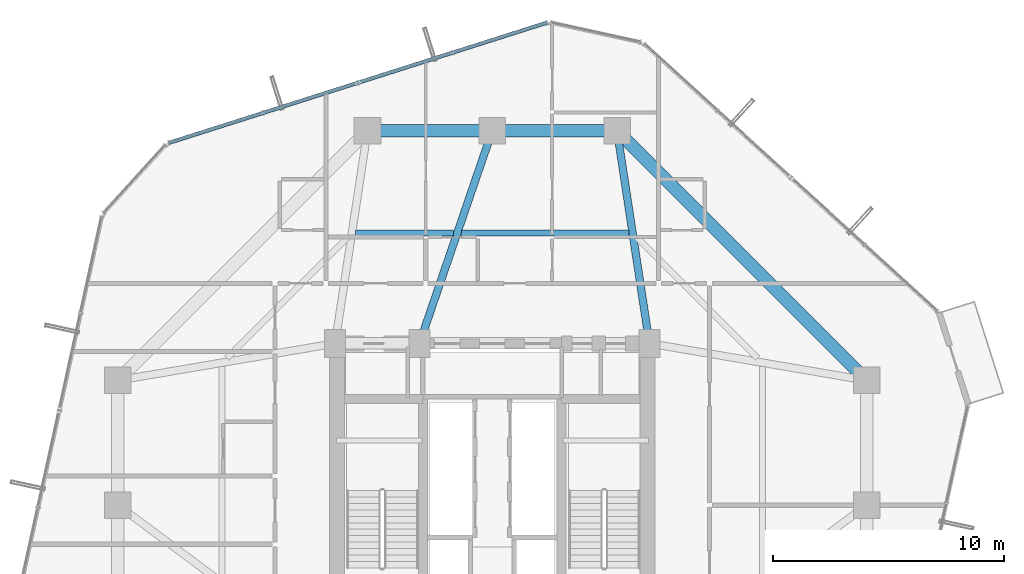
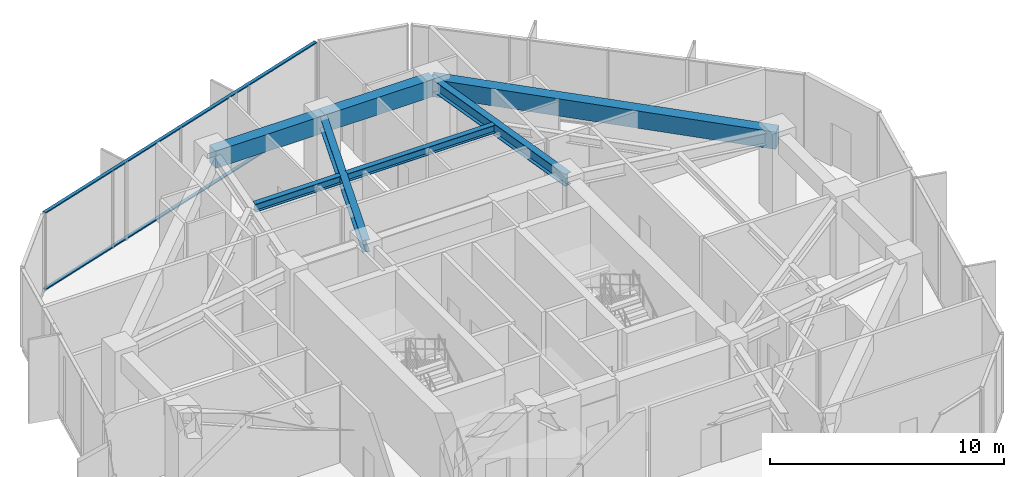
# One storey, part 18 of 28: 7 beams, 2 members, 1 element without a shape of its own.
"""IFC4 building model written with IfcOpenShell, lengths in metres."""

from ifc_helpers import new_model, si_unit, direction, frame, origin, origin_2d, place, context, subcontext, project, spatial, rectangle, hollow_rectangle, i_section, extrude, source, transform, mapped, material, layer, layer_set, material_profile, profile_set, type_object, element, aggregate, save


model = new_model("IFC4")

# Units and contexts
model_context = context("Model", 3, precision=1e-05, world=origin(), true_north=direction((0.0, 1.0)))
body_context = subcontext(model_context, "Body", "Model", "MODEL_VIEW")
ifc_project = project(units=[si_unit("LENGTHUNIT", "METRE"), si_unit("AREAUNIT", "SQUARE_METRE"), si_unit("VOLUMEUNIT", "CUBIC_METRE"), si_unit("PLANEANGLEUNIT", "RADIAN"), si_unit("MASSUNIT", "GRAM", prefix="KILO")], contexts=[model_context])

# Site, building, storey
site_placement = place(None, origin())
site = spatial("IfcSite", under=ifc_project, at=site_placement, CompositionType="ELEMENT")
building_placement = place(site_placement, origin())
building = spatial("IfcBuilding", under=site, at=building_placement, Name="Veraguas Prism Commons", CompositionType="ELEMENT")
storey_placement = place(building_placement, frame((0.0, 0.0, 85.14990234375)))
storey = spatial("IfcBuildingStorey", under=building, at=storey_placement, Name="L23", CompositionType="ELEMENT", Elevation=85.14990234375)

# Beams
ifc_material_1 = material(Name="Steel ASTM A992 Grade 50", Category="steel")
ifc_material_profile_1 = material_profile(ifc_material_1, i_section(OverallWidth=0.260986328125, OverallDepth=0.419921875, WebThickness=0.01171875, FlangeThickness=0.019287109375, at=origin_2d()), Name="W410X114")
ifc_profile_set_1 = profile_set([ifc_material_profile_1], Name="Steel ASTM A992 Grade 50")
beam_type_1 = type_object("IfcBeamType", Name="Lower Floor Joist W410x114", PredefinedType="JOIST", material=ifc_profile_set_1)
beam_1_placement = place(storey_placement, frame((29.908203125, 35.783935546875, 3.840087890625), z_axis=(-1.0, 0.0, 0.0), x_axis=(0.0, -1.0, 0.0)))
element("IfcBeam", 1, at=beam_1_placement, inside=storey, type_object=beam_type_1, Name="Composite Floor Joist L23-JS04", PredefinedType="JOIST", context=body_context, shape_type="SweptSolid", body=[
    extrude(i_section(OverallWidth=0.260986328125, OverallDepth=0.419921875, WebThickness=0.01171875, FlangeThickness=0.019287109375, at=origin_2d()), origin(), (0.0, 0.0, 1.0), 7.2490234375),
])
beam_2_placement = place(storey_placement, frame((22.31689453125, 35.783935546875, 3.840087890625), z_axis=(-1.0, 0.0, 0.0), x_axis=(0.0, -1.0, 0.0)))
element("IfcBeam", 2, at=beam_2_placement, inside=storey, type_object=beam_type_1, Name="Composite Floor Joist L23-JS05", PredefinedType="JOIST", context=body_context, shape_type="SweptSolid", body=[
    extrude(i_section(OverallWidth=0.260986328125, OverallDepth=0.419921875, WebThickness=0.01171875, FlangeThickness=0.019287109375, at=origin_2d()), origin(), (0.0, 0.0, 1.0), 4.22509765625),
])
ifc_material_2 = material(Name="Concrete C50/60", Category="concrete")
ifc_material_profile_2 = material_profile(ifc_material_2, rectangle(XDim=0.550048828125, YDim=0.89990234375, at=origin_2d()), Name="RC550X900")
ifc_profile_set_2 = profile_set([ifc_material_profile_2], Name="Concrete C50/60")
beam_type_2 = type_object("IfcBeamType", Name="Perimeter Spandrel Lower RC 550x900", PredefinedType="SPANDREL", material=ifc_profile_set_2)
beam_3_placement = place(storey_placement, frame((40.199951171875, 29.39990234375, 3.60009765625), z_axis=(-0.707106781187, 0.707106781187, 0.0), x_axis=(-0.707106781187, -0.707106781187, 0.0)))
element("IfcBeam", 3, at=beam_3_placement, inside=storey, type_object=beam_type_2, Name="Perimeter Spandrel Beam L23-SP03", PredefinedType="SPANDREL", context=body_context, shape_type="SweptSolid", body=[
    extrude(rectangle(XDim=0.550048828125, YDim=0.89990234375, at=origin_2d()), origin(), (0.0, 0.0, 1.0), 15.273681640625),
])
for number, where, z_axis, x_axis, name in (
    (4, (29.39990234375, 40.199951171875, 3.60009765625), (-1.0, 0.0, 0.0), (0.0, -1.0, 0.0), "Perimeter Spandrel Beam L23-SP04"),
    (5, (24.0, 40.199951171875, 3.60009765625), (-1.0, 0.0, 0.0), (0.0, -1.0, 0.0), "Perimeter Spandrel Beam L23-SP05"),
):
    element("IfcBeam", number, at=place(storey_placement, frame(where, z_axis=z_axis, x_axis=x_axis)), inside=storey, type_object=beam_type_2, Name=name, PredefinedType="SPANDREL", context=body_context, shape_type="SweptSolid", body=[
        extrude(rectangle(XDim=0.550048828125, YDim=0.89990234375, at=origin_2d()), origin(), (0.0, 0.0, 1.0), 5.39990234375),
    ])
ifc_material_profile_3 = material_profile(ifc_material_1, i_section(OverallWidth=0.327880859375, OverallDepth=0.6220703125, WebThickness=0.015380859375, FlangeThickness=0.0244140625, at=origin_2d()), Name="W610X195")
ifc_profile_set_3 = profile_set([ifc_material_profile_3], Name="Steel ASTM A992 Grade 50")
beam_type_3 = type_object("IfcBeamType", Name="Zone 2 Radial Girder W610x195", PredefinedType="BEAM", material=ifc_profile_set_3)
beam_4_placement = place(storey_placement, frame((29.39990234375, 40.199951171875, 3.739013671875), z_axis=(0.150458162136, -0.98861637729, 0.0), x_axis=(0.98861637729, 0.150458162136, 0.0)))
element("IfcBeam", 6, at=beam_4_placement, inside=storey, type_object=beam_type_3, Name="Radial Floor Girder L23-RD04", PredefinedType="BEAM", context=body_context, shape_type="SweptSolid", body=[
    extrude(i_section(OverallWidth=0.327880859375, OverallDepth=0.6220703125, WebThickness=0.015380859375, FlangeThickness=0.0244140625, at=origin_2d()), origin(), (0.0, 0.0, 1.0), 9.305908203125),
])
beam_5_placement = place(storey_placement, frame((24.0, 40.199951171875, 3.739013671875), z_axis=(-0.323922482989, -0.946083624747, 0.0), x_axis=(0.946083624747, -0.323922482989, 0.0)))
element("IfcBeam", 7, at=beam_5_placement, inside=storey, type_object=beam_type_3, Name="Radial Floor Girder L23-RD05", PredefinedType="BEAM", context=body_context, shape_type="SweptSolid", body=[
    extrude(i_section(OverallWidth=0.327880859375, OverallDepth=0.6220703125, WebThickness=0.015380859375, FlangeThickness=0.0244140625, at=origin_2d()), origin(), (0.0, 0.0, 1.0), 9.724365234375),
])

# Curtain wall, members
ifc_material_3 = material(Name="Anodised aluminium EN AW-6063 T6", Category="aluminium")
ifc_layer = layer(ifc_material_3, 0.199951171875, Name="Sky Lobby and Pool Acoustic Curtain Wall", Category="aluminium")
ifc_layer_set = layer_set([ifc_layer], Name="Anodised aluminium EN AW-6063 T6")
curtain_wall_type = type_object("IfcCurtainWallType", Name="Sky Lobby and Pool Acoustic Curtain Wall", PredefinedType="NOTDEFINED", material=ifc_layer_set)
curtain_wall_placement = place(storey_placement, origin())
curtain_wall = element("IfcCurtainWall", 8, at=curtain_wall_placement, inside=storey, type_object=curtain_wall_type, Name="Tower Facade Curtain Wall L23-F2", PredefinedType="NOTDEFINED")
ifc_material_profile_4 = material_profile(ifc_material_3, hollow_rectangle(XDim=0.06005859375, YDim=0.159912109375, WallThickness=0.0029296875, at=origin_2d()), Name="AL60X160X3")
ifc_profile_set_4 = profile_set([ifc_material_profile_4], Name="Anodised aluminium EN AW-6063 T6")
member_type = type_object("IfcMemberType", Name="Curtain Wall Transom Heavy AL 60x160x3", PredefinedType="USERDEFINED", material=ifc_profile_set_4)
shared_shape = source(origin(), body_context, "Body", "SweptSolid", [
    extrude(hollow_rectangle(XDim=0.06005859375, YDim=0.159912109375, WallThickness=0.0029296875, at=origin_2d()), origin(), (0.0, 0.0, 1.0), 17.169189453125),
])
member_1_placement = place(storey_placement, frame((26.367919921875, 44.8818359375, 0.030029296875), z_axis=(-0.952978802678, -0.303036964157, 0.0), x_axis=(0.0, 0.0, 1.0)))
member_1 = element("IfcMember", 9, at=member_1_placement, type_object=member_type, Name="CW-SKY Transom 1", ObjectType="TRANSOM", PredefinedType="USERDEFINED", context=body_context, shape_type="MappedRepresentation", body=[
    mapped(shared_shape, transform((0.0, 0.0, 0.0), scale=1.0)),
])
member_2_placement = place(storey_placement, frame((26.367919921875, 44.8818359375, 4.02001953125), z_axis=(-0.952978802678, -0.303036964157, 0.0), x_axis=(0.0, 0.0, 1.0)))
member_2 = element("IfcMember", 10, at=member_2_placement, type_object=member_type, Name="CW-SKY Transom 2", ObjectType="TRANSOM", PredefinedType="USERDEFINED", context=body_context, shape_type="MappedRepresentation", body=[
    mapped(shared_shape, transform((0.0, 0.0, 0.0), scale=1.0)),
])
aggregate(curtain_wall, [member_1, member_2])

save(model, "model.ifc")
